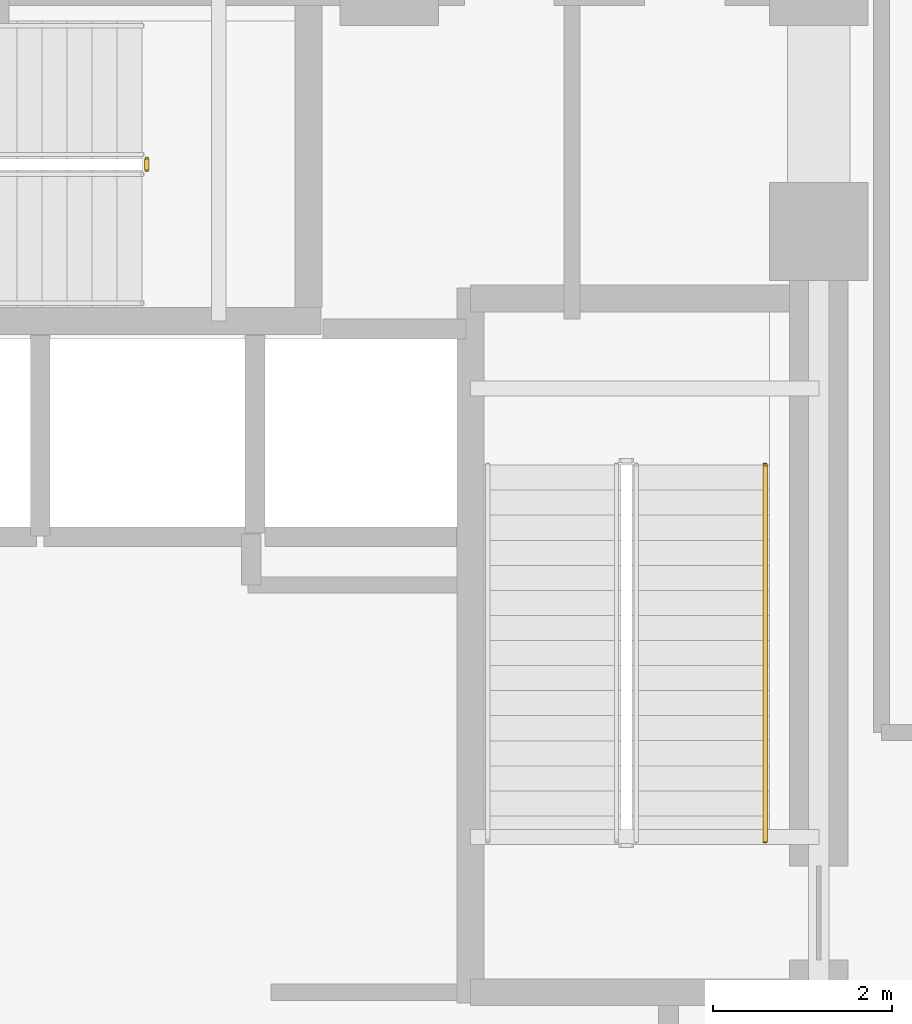
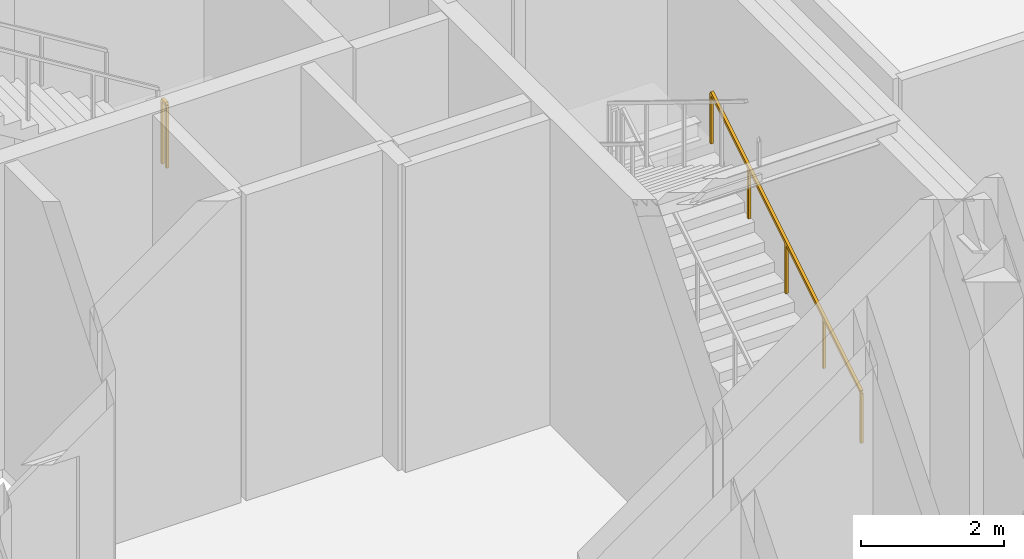
# One storey, part 20 of 24: 2 railings.
"""IFC4 building model written with IfcOpenShell, lengths in metres."""

from ifc_helpers import new_model, si_unit, direction, frame, origin, origin_2d, place, context, subcontext, project, spatial, rectangle, extrude, material, type_object, element, save


model = new_model("IFC4")

# Units and contexts
model_context = context("Model", 3, precision=1e-05, world=origin(), true_north=direction((0.0, 1.0)))
body_context = subcontext(model_context, "Body", "Model", "MODEL_VIEW")
ifc_project = project(units=[si_unit("LENGTHUNIT", "METRE"), si_unit("AREAUNIT", "SQUARE_METRE"), si_unit("VOLUMEUNIT", "CUBIC_METRE"), si_unit("PLANEANGLEUNIT", "RADIAN"), si_unit("MASSUNIT", "GRAM", prefix="KILO")], contexts=[model_context])

# Site, building, storey
site_placement = place(None, origin())
site = spatial("IfcSite", under=ifc_project, at=site_placement, CompositionType="ELEMENT")
building_placement = place(site_placement, origin())
building = spatial("IfcBuilding", under=site, at=building_placement, Name="Vantalir Tower", CompositionType="ELEMENT")
storey_placement = place(building_placement, frame((0.0, 0.0, 16.0)))
storey = spatial("IfcBuildingStorey", under=building, at=storey_placement, Name="L03", CompositionType="ELEMENT", Elevation=16.0)

# Railings
ifc_material_1 = material(Name="Anodised aluminium and stainless steel guard", Category="steel")
railing_type_1 = type_object("IfcRailingType", Name="RAL-GUARD-1120", PredefinedType="GUARDRAIL", material=ifc_material_1)
railing_1_placement = place(storey_placement, frame((33.590087890625, 30.2900390625, 2.75)))
element("IfcRailing", 1, at=railing_1_placement, inside=storey, type_object=railing_type_1, Name="L03 ST3 stair guard 2", PredefinedType="GUARDRAIL", context=body_context, shape_type="SweptSolid", body=[
    extrude(rectangle(XDim=0.048095703125, YDim=0.048095703125, at=origin_2d()), frame((0.0, 0.0, 1.09619140625), z_axis=(0.0, 1.0, 0.0), x_axis=(-1.0, 0.0, 0.0)), (0.0, 0.0, 1.0), 0.119873046875),
    extrude(rectangle(XDim=0.0419921875, YDim=0.0419921875, at=origin_2d()), origin(), (0.0, 0.0, 1.0), 1.072021484375),
    extrude(rectangle(XDim=0.0419921875, YDim=0.0419921875, at=origin_2d()), frame((0.0, 0.119873046875, 0.0)), (0.0, 0.0, 1.0), 1.072021484375),
])
ifc_material_2 = material(Name="Brushed stainless steel tubular handrail", Category="steel")
railing_type_2 = type_object("IfcRailingType", Name="RAL-HANDRAIL-900", PredefinedType="HANDRAIL", material=ifc_material_2)
railing_2_placement = place(storey_placement, frame((40.5, 22.7900390625, 0.171875)))
element("IfcRailing", 2, at=railing_2_placement, inside=storey, type_object=railing_type_2, Name="L03 ST2 stair handrail 1", PredefinedType="HANDRAIL", context=body_context, shape_type="SweptSolid", body=[
    extrude(rectangle(XDim=0.048095703125, YDim=0.048095703125, at=origin_2d()), frame((0.0, 0.0, 0.8759765625), z_axis=(0.0, 0.852242915053, 0.523146264196), x_axis=(-1.0, 0.0, 0.0)), (0.0, 0.0, 1.0), 4.92822265625),
    extrude(rectangle(XDim=0.0419921875, YDim=0.0419921875, at=origin_2d()), origin(), (0.0, 0.0, 1.0), 0.851806640625),
    extrude(rectangle(XDim=0.0419921875, YDim=0.0419921875, at=origin_2d()), frame((0.0, 1.050048828125, 0.64453125)), (0.0, 0.0, 1.0), 0.851806640625),
    extrude(rectangle(XDim=0.0419921875, YDim=0.0419921875, at=origin_2d()), frame((0.0, 2.10009765625, 1.2890625)), (0.0, 0.0, 1.0), 0.851806640625),
    extrude(rectangle(XDim=0.0419921875, YDim=0.0419921875, at=origin_2d()), frame((0.0, 3.14990234375, 1.93359375)), (0.0, 0.0, 1.0), 0.851806640625),
    extrude(rectangle(XDim=0.0419921875, YDim=0.0419921875, at=origin_2d()), frame((0.0, 4.199951171875, 2.578125)), (0.0, 0.0, 1.0), 0.851806640625),
])

save(model, "model.ifc")
